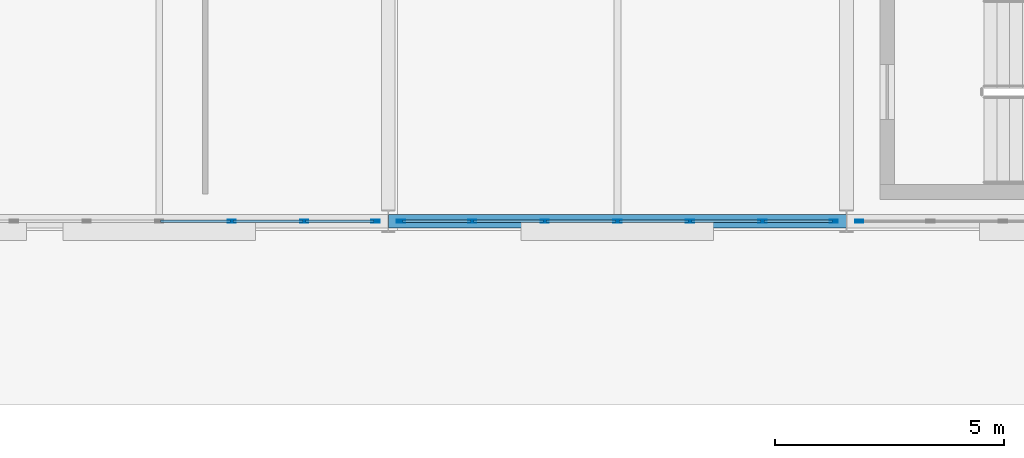
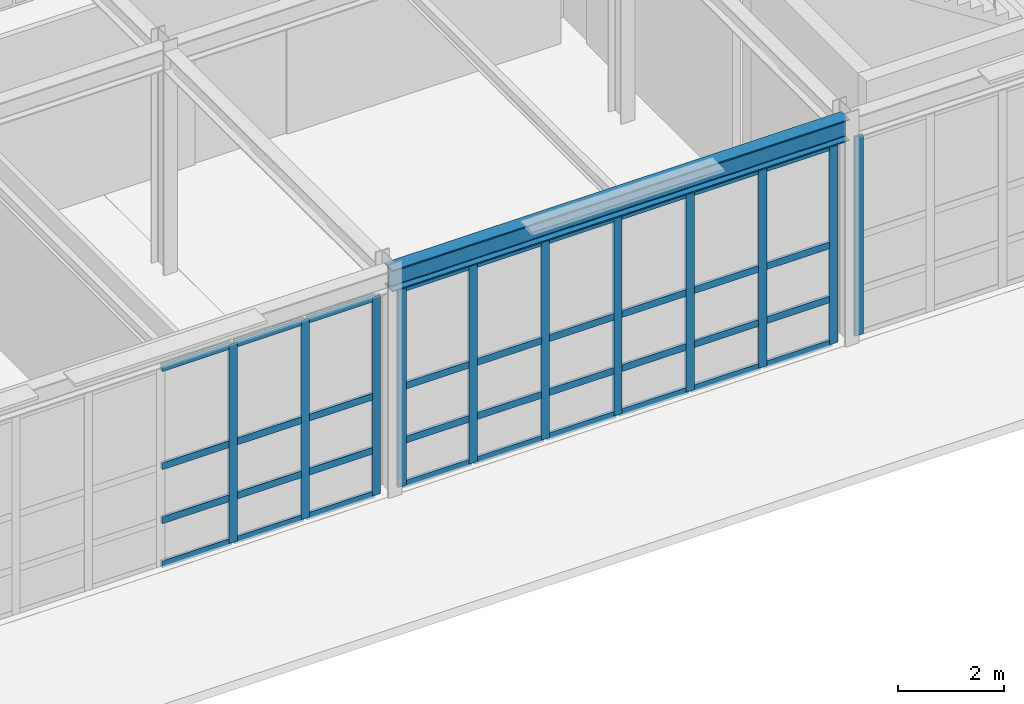
# One storey, part 101 of 210: 47 members, 1 beam, 3 elements without a shape of their own.
"""IFC4 building model written with IfcOpenShell, lengths in metres."""

from ifc_helpers import new_model, si_unit, direction, frame, origin, origin_2d, place, context, subcontext, project, spatial, hollow_rectangle, i_section, extrude, material, material_profile, profile_set, type_object, element, aggregate, save


model = new_model("IFC4")

# Units and contexts
model_context = context("Model", 3, precision=1e-05, world=origin(), true_north=direction((0.0, 1.0)))
body_context = subcontext(model_context, "Body", "Model", "MODEL_VIEW")
ifc_project = project(units=[si_unit("LENGTHUNIT", "METRE"), si_unit("AREAUNIT", "SQUARE_METRE"), si_unit("VOLUMEUNIT", "CUBIC_METRE"), si_unit("PLANEANGLEUNIT", "RADIAN"), si_unit("MASSUNIT", "GRAM", prefix="KILO")], contexts=[model_context])

# Site, building, storey
site_placement = place(None, origin())
site = spatial("IfcSite", under=ifc_project, at=site_placement, CompositionType="ELEMENT")
building_placement = place(site_placement, origin())
building = spatial("IfcBuilding", under=site, at=building_placement, Name="Kaldris Quays Convention Centre", CompositionType="ELEMENT")
storey_placement = place(building_placement, frame((0.0, 0.0, 6.0)))
storey = spatial("IfcBuildingStorey", under=building, at=storey_placement, Name="L01", CompositionType="ELEMENT", Elevation=6.0)

# Curtain wall, members
ifc_material_1 = material(Name="Anodized aluminium AW-6060 and triple glazing", Category="aluminium")
curtain_wall_type = type_object("IfcCurtainWallType", Name="UNITISED CURTAIN WALL CW02", PredefinedType="NOTDEFINED", material=ifc_material_1)
curtain_wall_1_placement = place(storey_placement, origin())
curtain_wall_1 = element("IfcCurtainWall", 1, at=curtain_wall_1_placement, inside=storey, type_object=curtain_wall_type, Name="L01 Unitised Curtain Wall CW02 189", PredefinedType="NOTDEFINED")
ifc_material_2 = material(Name="Anodized aluminium AW-6060", Category="aluminium")
ifc_material_profile_1 = material_profile(ifc_material_2, hollow_rectangle(XDim=0.06005859375, YDim=0.179931640625, WallThickness=0.0048828125, at=origin_2d()), Name="RHS 180x60x5")
ifc_profile_set_1 = profile_set([ifc_material_profile_1], Name="Anodized aluminium AW-6060")
member_type_1 = type_object("IfcMemberType", Name="CURTAIN MULLION CWM2", PredefinedType="MULLION", material=ifc_profile_set_1)
member_1_placement = place(storey_placement, frame((180.583251953125, 20.0, 0.0), z_axis=(0.0, 0.0, 1.0), x_axis=(0.0, 1.0, 0.0)))
member_1 = element("IfcMember", 2, at=member_1_placement, type_object=member_type_1, Name="CW02 mullion 5", PredefinedType="MULLION", context=body_context, shape_type="SweptSolid", body=[
    extrude(hollow_rectangle(XDim=0.06005859375, YDim=0.179931640625, WallThickness=0.0048828125, at=origin_2d()), origin(), (0.0, 0.0, 1.0), 4.60009765625),
])
member_2_placement = place(storey_placement, frame((182.166748046875, 20.0, 0.0), z_axis=(0.0, 0.0, 1.0), x_axis=(0.0, 1.0, 0.0)))
member_2 = element("IfcMember", 3, at=member_2_placement, type_object=member_type_1, Name="CW02 mullion 6", PredefinedType="MULLION", context=body_context, shape_type="SweptSolid", body=[
    extrude(hollow_rectangle(XDim=0.06005859375, YDim=0.179931640625, WallThickness=0.0048828125, at=origin_2d()), origin(), (0.0, 0.0, 1.0), 4.60009765625),
])
member_3_placement = place(storey_placement, frame((183.719970703125, 20.0, 0.0), z_axis=(0.0, 0.0, 1.0), x_axis=(0.0, 1.0, 0.0)))
member_3 = element("IfcMember", 4, at=member_3_placement, type_object=member_type_1, Name="CW02 mullion 7", PredefinedType="MULLION", context=body_context, shape_type="SweptSolid", body=[
    extrude(hollow_rectangle(XDim=0.06005859375, YDim=0.179931640625, WallThickness=0.0048828125, at=origin_2d()), origin(), (0.0, 0.0, 1.0), 4.60009765625),
])

curtain_wall_2_placement = place(storey_placement, origin())
curtain_wall_2 = element("IfcCurtainWall", 5, at=curtain_wall_2_placement, inside=storey, type_object=curtain_wall_type, Name="L01 Unitised Curtain Wall CW02 191", PredefinedType="NOTDEFINED")
member_4_placement = place(storey_placement, frame((184.280029296875, 20.0, 0.0), z_axis=(0.0, 0.0, 1.0), x_axis=(0.0, 1.0, 0.0)))
member_4 = element("IfcMember", 6, at=member_4_placement, type_object=member_type_1, Name="CW02 mullion 1", PredefinedType="MULLION", context=body_context, shape_type="SweptSolid", body=[
    extrude(hollow_rectangle(XDim=0.06005859375, YDim=0.179931640625, WallThickness=0.0048828125, at=origin_2d()), origin(), (0.0, 0.0, 1.0), 4.60009765625),
])
member_5_placement = place(storey_placement, frame((185.833251953125, 20.0, 0.0), z_axis=(0.0, 0.0, 1.0), x_axis=(0.0, 1.0, 0.0)))
member_5 = element("IfcMember", 7, at=member_5_placement, type_object=member_type_1, Name="CW02 mullion 2", PredefinedType="MULLION", context=body_context, shape_type="SweptSolid", body=[
    extrude(hollow_rectangle(XDim=0.06005859375, YDim=0.179931640625, WallThickness=0.0048828125, at=origin_2d()), origin(), (0.0, 0.0, 1.0), 4.60009765625),
])
member_6_placement = place(storey_placement, frame((187.416748046875, 20.0, 0.0), z_axis=(0.0, 0.0, 1.0), x_axis=(0.0, 1.0, 0.0)))
member_6 = element("IfcMember", 8, at=member_6_placement, type_object=member_type_1, Name="CW02 mullion 3", PredefinedType="MULLION", context=body_context, shape_type="SweptSolid", body=[
    extrude(hollow_rectangle(XDim=0.06005859375, YDim=0.179931640625, WallThickness=0.0048828125, at=origin_2d()), origin(), (0.0, 0.0, 1.0), 4.60009765625),
])
member_7_placement = place(storey_placement, frame((189.0, 20.0, 0.0), z_axis=(0.0, 0.0, 1.0), x_axis=(0.0, 1.0, 0.0)))
member_7 = element("IfcMember", 9, at=member_7_placement, type_object=member_type_1, Name="CW02 mullion 4", PredefinedType="MULLION", context=body_context, shape_type="SweptSolid", body=[
    extrude(hollow_rectangle(XDim=0.06005859375, YDim=0.179931640625, WallThickness=0.0048828125, at=origin_2d()), origin(), (0.0, 0.0, 1.0), 4.60009765625),
])
member_8_placement = place(storey_placement, frame((190.583251953125, 20.0, 0.0), z_axis=(0.0, 0.0, 1.0), x_axis=(0.0, 1.0, 0.0)))
member_8 = element("IfcMember", 10, at=member_8_placement, type_object=member_type_1, Name="CW02 mullion 5", PredefinedType="MULLION", context=body_context, shape_type="SweptSolid", body=[
    extrude(hollow_rectangle(XDim=0.06005859375, YDim=0.179931640625, WallThickness=0.0048828125, at=origin_2d()), origin(), (0.0, 0.0, 1.0), 4.60009765625),
])
member_9_placement = place(storey_placement, frame((192.166748046875, 20.0, 0.0), z_axis=(0.0, 0.0, 1.0), x_axis=(0.0, 1.0, 0.0)))
member_9 = element("IfcMember", 11, at=member_9_placement, type_object=member_type_1, Name="CW02 mullion 6", PredefinedType="MULLION", context=body_context, shape_type="SweptSolid", body=[
    extrude(hollow_rectangle(XDim=0.06005859375, YDim=0.179931640625, WallThickness=0.0048828125, at=origin_2d()), origin(), (0.0, 0.0, 1.0), 4.60009765625),
])
member_10_placement = place(storey_placement, frame((193.719970703125, 20.0, 0.0), z_axis=(0.0, 0.0, 1.0), x_axis=(0.0, 1.0, 0.0)))
member_10 = element("IfcMember", 12, at=member_10_placement, type_object=member_type_1, Name="CW02 mullion 7", PredefinedType="MULLION", context=body_context, shape_type="SweptSolid", body=[
    extrude(hollow_rectangle(XDim=0.06005859375, YDim=0.179931640625, WallThickness=0.0048828125, at=origin_2d()), origin(), (0.0, 0.0, 1.0), 4.60009765625),
])

# Curtain wall, member
curtain_wall_3_placement = place(storey_placement, origin())
curtain_wall_3 = element("IfcCurtainWall", 13, at=curtain_wall_3_placement, inside=storey, type_object=curtain_wall_type, Name="L01 Unitised Curtain Wall CW02 193", PredefinedType="NOTDEFINED")
member_11_placement = place(storey_placement, frame((194.280029296875, 20.0, 0.0), z_axis=(0.0, 0.0, 1.0), x_axis=(0.0, 1.0, 0.0)))
member_11 = element("IfcMember", 14, at=member_11_placement, type_object=member_type_1, Name="CW02 mullion 1", PredefinedType="MULLION", context=body_context, shape_type="SweptSolid", body=[
    extrude(hollow_rectangle(XDim=0.06005859375, YDim=0.179931640625, WallThickness=0.0048828125, at=origin_2d()), origin(), (0.0, 0.0, 1.0), 4.60009765625),
])
aggregate(curtain_wall_3, [member_11])

# Member
ifc_material_profile_2 = material_profile(ifc_material_2, hollow_rectangle(XDim=0.06005859375, YDim=0.159912109375, WallThickness=0.00390625, at=origin_2d()), Name="RHS 160x60x4")
ifc_profile_set_2 = profile_set([ifc_material_profile_2], Name="Anodized aluminium AW-6060")
member_type_2 = type_object("IfcMemberType", Name="CURTAIN TRANSOM CWT2", PredefinedType="USERDEFINED", material=ifc_profile_set_2)
member_12_placement = place(storey_placement, frame((179.030029296875, 20.0, 0.030029296875), z_axis=(1.0, 0.0, 0.0), x_axis=(0.0, 1.0, 0.0)))
member_12 = element("IfcMember", 15, at=member_12_placement, type_object=member_type_2, Name="CW02 transom 4.1", ObjectType="TRANSOM", PredefinedType="USERDEFINED", context=body_context, shape_type="SweptSolid", body=[
    extrude(hollow_rectangle(XDim=0.06005859375, YDim=0.159912109375, WallThickness=0.00390625, at=origin_2d()), origin(), (0.0, 0.0, 1.0), 1.523193359375),
])

member_13_placement = place(storey_placement, frame((179.030029296875, 20.0, 1.050048828125), z_axis=(1.0, 0.0, 0.0), x_axis=(0.0, 1.0, 0.0)))
member_13 = element("IfcMember", 16, at=member_13_placement, type_object=member_type_2, Name="CW02 transom 4.2", ObjectType="TRANSOM", PredefinedType="USERDEFINED", context=body_context, shape_type="SweptSolid", body=[
    extrude(hollow_rectangle(XDim=0.06005859375, YDim=0.159912109375, WallThickness=0.00390625, at=origin_2d()), origin(), (0.0, 0.0, 1.0), 1.523193359375),
])

member_14_placement = place(storey_placement, frame((179.030029296875, 20.0, 2.300048828125), z_axis=(1.0, 0.0, 0.0), x_axis=(0.0, 1.0, 0.0)))
member_14 = element("IfcMember", 17, at=member_14_placement, type_object=member_type_2, Name="CW02 transom 4.3", ObjectType="TRANSOM", PredefinedType="USERDEFINED", context=body_context, shape_type="SweptSolid", body=[
    extrude(hollow_rectangle(XDim=0.06005859375, YDim=0.159912109375, WallThickness=0.00390625, at=origin_2d()), origin(), (0.0, 0.0, 1.0), 1.523193359375),
])

member_15_placement = place(storey_placement, frame((179.030029296875, 20.0, 4.570068359375), z_axis=(1.0, 0.0, 0.0), x_axis=(0.0, 1.0, 0.0)))
member_15 = element("IfcMember", 18, at=member_15_placement, type_object=member_type_2, Name="CW02 transom 4.4", ObjectType="TRANSOM", PredefinedType="USERDEFINED", context=body_context, shape_type="SweptSolid", body=[
    extrude(hollow_rectangle(XDim=0.06005859375, YDim=0.159912109375, WallThickness=0.00390625, at=origin_2d()), origin(), (0.0, 0.0, 1.0), 1.523193359375),
])

member_16_placement = place(storey_placement, frame((180.61328125, 20.0, 0.030029296875), z_axis=(1.0, 0.0, 0.0), x_axis=(0.0, 1.0, 0.0)))
member_16 = element("IfcMember", 19, at=member_16_placement, type_object=member_type_2, Name="CW02 transom 5.1", ObjectType="TRANSOM", PredefinedType="USERDEFINED", context=body_context, shape_type="SweptSolid", body=[
    extrude(hollow_rectangle(XDim=0.06005859375, YDim=0.159912109375, WallThickness=0.00390625, at=origin_2d()), origin(), (0.0, 0.0, 1.0), 1.5234375),
])

member_17_placement = place(storey_placement, frame((180.61328125, 20.0, 1.050048828125), z_axis=(1.0, 0.0, 0.0), x_axis=(0.0, 1.0, 0.0)))
member_17 = element("IfcMember", 20, at=member_17_placement, type_object=member_type_2, Name="CW02 transom 5.2", ObjectType="TRANSOM", PredefinedType="USERDEFINED", context=body_context, shape_type="SweptSolid", body=[
    extrude(hollow_rectangle(XDim=0.06005859375, YDim=0.159912109375, WallThickness=0.00390625, at=origin_2d()), origin(), (0.0, 0.0, 1.0), 1.5234375),
])

member_18_placement = place(storey_placement, frame((180.61328125, 20.0, 2.300048828125), z_axis=(1.0, 0.0, 0.0), x_axis=(0.0, 1.0, 0.0)))
member_18 = element("IfcMember", 21, at=member_18_placement, type_object=member_type_2, Name="CW02 transom 5.3", ObjectType="TRANSOM", PredefinedType="USERDEFINED", context=body_context, shape_type="SweptSolid", body=[
    extrude(hollow_rectangle(XDim=0.06005859375, YDim=0.159912109375, WallThickness=0.00390625, at=origin_2d()), origin(), (0.0, 0.0, 1.0), 1.5234375),
])

member_19_placement = place(storey_placement, frame((180.61328125, 20.0, 4.570068359375), z_axis=(1.0, 0.0, 0.0), x_axis=(0.0, 1.0, 0.0)))
member_19 = element("IfcMember", 22, at=member_19_placement, type_object=member_type_2, Name="CW02 transom 5.4", ObjectType="TRANSOM", PredefinedType="USERDEFINED", context=body_context, shape_type="SweptSolid", body=[
    extrude(hollow_rectangle(XDim=0.06005859375, YDim=0.159912109375, WallThickness=0.00390625, at=origin_2d()), origin(), (0.0, 0.0, 1.0), 1.5234375),
])

member_20_placement = place(storey_placement, frame((182.19677734375, 20.0, 0.030029296875), z_axis=(1.0, 0.0, 0.0), x_axis=(0.0, 1.0, 0.0)))
member_20 = element("IfcMember", 23, at=member_20_placement, type_object=member_type_2, Name="CW02 transom 6.1", ObjectType="TRANSOM", PredefinedType="USERDEFINED", context=body_context, shape_type="SweptSolid", body=[
    extrude(hollow_rectangle(XDim=0.06005859375, YDim=0.159912109375, WallThickness=0.00390625, at=origin_2d()), origin(), (0.0, 0.0, 1.0), 1.4931640625),
])

member_21_placement = place(storey_placement, frame((182.19677734375, 20.0, 1.050048828125), z_axis=(1.0, 0.0, 0.0), x_axis=(0.0, 1.0, 0.0)))
member_21 = element("IfcMember", 24, at=member_21_placement, type_object=member_type_2, Name="CW02 transom 6.2", ObjectType="TRANSOM", PredefinedType="USERDEFINED", context=body_context, shape_type="SweptSolid", body=[
    extrude(hollow_rectangle(XDim=0.06005859375, YDim=0.159912109375, WallThickness=0.00390625, at=origin_2d()), origin(), (0.0, 0.0, 1.0), 1.4931640625),
])

member_22_placement = place(storey_placement, frame((182.19677734375, 20.0, 2.300048828125), z_axis=(1.0, 0.0, 0.0), x_axis=(0.0, 1.0, 0.0)))
member_22 = element("IfcMember", 25, at=member_22_placement, type_object=member_type_2, Name="CW02 transom 6.3", ObjectType="TRANSOM", PredefinedType="USERDEFINED", context=body_context, shape_type="SweptSolid", body=[
    extrude(hollow_rectangle(XDim=0.06005859375, YDim=0.159912109375, WallThickness=0.00390625, at=origin_2d()), origin(), (0.0, 0.0, 1.0), 1.4931640625),
])

member_23_placement = place(storey_placement, frame((182.19677734375, 20.0, 4.570068359375), z_axis=(1.0, 0.0, 0.0), x_axis=(0.0, 1.0, 0.0)))
member_23 = element("IfcMember", 26, at=member_23_placement, type_object=member_type_2, Name="CW02 transom 6.4", ObjectType="TRANSOM", PredefinedType="USERDEFINED", context=body_context, shape_type="SweptSolid", body=[
    extrude(hollow_rectangle(XDim=0.06005859375, YDim=0.159912109375, WallThickness=0.00390625, at=origin_2d()), origin(), (0.0, 0.0, 1.0), 1.4931640625),
])

aggregate(curtain_wall_1, [member_1, member_2, member_3, member_12, member_13, member_14, member_15, member_16, member_17, member_18, member_19, member_20, member_21, member_22, member_23])

member_24_placement = place(storey_placement, frame((184.31005859375, 20.0, 0.030029296875), z_axis=(1.0, 0.0, 0.0), x_axis=(0.0, 1.0, 0.0)))
member_24 = element("IfcMember", 27, at=member_24_placement, type_object=member_type_2, Name="CW02 transom 1.1", ObjectType="TRANSOM", PredefinedType="USERDEFINED", context=body_context, shape_type="SweptSolid", body=[
    extrude(hollow_rectangle(XDim=0.06005859375, YDim=0.159912109375, WallThickness=0.00390625, at=origin_2d()), origin(), (0.0, 0.0, 1.0), 1.4931640625),
])

member_25_placement = place(storey_placement, frame((184.31005859375, 20.0, 1.050048828125), z_axis=(1.0, 0.0, 0.0), x_axis=(0.0, 1.0, 0.0)))
member_25 = element("IfcMember", 28, at=member_25_placement, type_object=member_type_2, Name="CW02 transom 1.2", ObjectType="TRANSOM", PredefinedType="USERDEFINED", context=body_context, shape_type="SweptSolid", body=[
    extrude(hollow_rectangle(XDim=0.06005859375, YDim=0.159912109375, WallThickness=0.00390625, at=origin_2d()), origin(), (0.0, 0.0, 1.0), 1.4931640625),
])

member_26_placement = place(storey_placement, frame((184.31005859375, 20.0, 2.300048828125), z_axis=(1.0, 0.0, 0.0), x_axis=(0.0, 1.0, 0.0)))
member_26 = element("IfcMember", 29, at=member_26_placement, type_object=member_type_2, Name="CW02 transom 1.3", ObjectType="TRANSOM", PredefinedType="USERDEFINED", context=body_context, shape_type="SweptSolid", body=[
    extrude(hollow_rectangle(XDim=0.06005859375, YDim=0.159912109375, WallThickness=0.00390625, at=origin_2d()), origin(), (0.0, 0.0, 1.0), 1.4931640625),
])

member_27_placement = place(storey_placement, frame((184.31005859375, 20.0, 4.570068359375), z_axis=(1.0, 0.0, 0.0), x_axis=(0.0, 1.0, 0.0)))
member_27 = element("IfcMember", 30, at=member_27_placement, type_object=member_type_2, Name="CW02 transom 1.4", ObjectType="TRANSOM", PredefinedType="USERDEFINED", context=body_context, shape_type="SweptSolid", body=[
    extrude(hollow_rectangle(XDim=0.06005859375, YDim=0.159912109375, WallThickness=0.00390625, at=origin_2d()), origin(), (0.0, 0.0, 1.0), 1.4931640625),
])

member_28_placement = place(storey_placement, frame((185.86328125, 20.0, 0.030029296875), z_axis=(1.0, 0.0, 0.0), x_axis=(0.0, 1.0, 0.0)))
member_28 = element("IfcMember", 31, at=member_28_placement, type_object=member_type_2, Name="CW02 transom 2.1", ObjectType="TRANSOM", PredefinedType="USERDEFINED", context=body_context, shape_type="SweptSolid", body=[
    extrude(hollow_rectangle(XDim=0.06005859375, YDim=0.159912109375, WallThickness=0.00390625, at=origin_2d()), origin(), (0.0, 0.0, 1.0), 1.5234375),
])

member_29_placement = place(storey_placement, frame((185.86328125, 20.0, 1.050048828125), z_axis=(1.0, 0.0, 0.0), x_axis=(0.0, 1.0, 0.0)))
member_29 = element("IfcMember", 32, at=member_29_placement, type_object=member_type_2, Name="CW02 transom 2.2", ObjectType="TRANSOM", PredefinedType="USERDEFINED", context=body_context, shape_type="SweptSolid", body=[
    extrude(hollow_rectangle(XDim=0.06005859375, YDim=0.159912109375, WallThickness=0.00390625, at=origin_2d()), origin(), (0.0, 0.0, 1.0), 1.5234375),
])

member_30_placement = place(storey_placement, frame((185.86328125, 20.0, 2.300048828125), z_axis=(1.0, 0.0, 0.0), x_axis=(0.0, 1.0, 0.0)))
member_30 = element("IfcMember", 33, at=member_30_placement, type_object=member_type_2, Name="CW02 transom 2.3", ObjectType="TRANSOM", PredefinedType="USERDEFINED", context=body_context, shape_type="SweptSolid", body=[
    extrude(hollow_rectangle(XDim=0.06005859375, YDim=0.159912109375, WallThickness=0.00390625, at=origin_2d()), origin(), (0.0, 0.0, 1.0), 1.5234375),
])

member_31_placement = place(storey_placement, frame((185.86328125, 20.0, 4.570068359375), z_axis=(1.0, 0.0, 0.0), x_axis=(0.0, 1.0, 0.0)))
member_31 = element("IfcMember", 34, at=member_31_placement, type_object=member_type_2, Name="CW02 transom 2.4", ObjectType="TRANSOM", PredefinedType="USERDEFINED", context=body_context, shape_type="SweptSolid", body=[
    extrude(hollow_rectangle(XDim=0.06005859375, YDim=0.159912109375, WallThickness=0.00390625, at=origin_2d()), origin(), (0.0, 0.0, 1.0), 1.5234375),
])

member_32_placement = place(storey_placement, frame((187.44677734375, 20.0, 0.030029296875), z_axis=(1.0, 0.0, 0.0), x_axis=(0.0, 1.0, 0.0)))
member_32 = element("IfcMember", 35, at=member_32_placement, type_object=member_type_2, Name="CW02 transom 3.1", ObjectType="TRANSOM", PredefinedType="USERDEFINED", context=body_context, shape_type="SweptSolid", body=[
    extrude(hollow_rectangle(XDim=0.06005859375, YDim=0.159912109375, WallThickness=0.00390625, at=origin_2d()), origin(), (0.0, 0.0, 1.0), 1.523193359375),
])

member_33_placement = place(storey_placement, frame((187.44677734375, 20.0, 1.050048828125), z_axis=(1.0, 0.0, 0.0), x_axis=(0.0, 1.0, 0.0)))
member_33 = element("IfcMember", 36, at=member_33_placement, type_object=member_type_2, Name="CW02 transom 3.2", ObjectType="TRANSOM", PredefinedType="USERDEFINED", context=body_context, shape_type="SweptSolid", body=[
    extrude(hollow_rectangle(XDim=0.06005859375, YDim=0.159912109375, WallThickness=0.00390625, at=origin_2d()), origin(), (0.0, 0.0, 1.0), 1.523193359375),
])

member_34_placement = place(storey_placement, frame((187.44677734375, 20.0, 2.300048828125), z_axis=(1.0, 0.0, 0.0), x_axis=(0.0, 1.0, 0.0)))
member_34 = element("IfcMember", 37, at=member_34_placement, type_object=member_type_2, Name="CW02 transom 3.3", ObjectType="TRANSOM", PredefinedType="USERDEFINED", context=body_context, shape_type="SweptSolid", body=[
    extrude(hollow_rectangle(XDim=0.06005859375, YDim=0.159912109375, WallThickness=0.00390625, at=origin_2d()), origin(), (0.0, 0.0, 1.0), 1.523193359375),
])

member_35_placement = place(storey_placement, frame((187.44677734375, 20.0, 4.570068359375), z_axis=(1.0, 0.0, 0.0), x_axis=(0.0, 1.0, 0.0)))
member_35 = element("IfcMember", 38, at=member_35_placement, type_object=member_type_2, Name="CW02 transom 3.4", ObjectType="TRANSOM", PredefinedType="USERDEFINED", context=body_context, shape_type="SweptSolid", body=[
    extrude(hollow_rectangle(XDim=0.06005859375, YDim=0.159912109375, WallThickness=0.00390625, at=origin_2d()), origin(), (0.0, 0.0, 1.0), 1.523193359375),
])

member_36_placement = place(storey_placement, frame((189.030029296875, 20.0, 0.030029296875), z_axis=(1.0, 0.0, 0.0), x_axis=(0.0, 1.0, 0.0)))
member_36 = element("IfcMember", 39, at=member_36_placement, type_object=member_type_2, Name="CW02 transom 4.1", ObjectType="TRANSOM", PredefinedType="USERDEFINED", context=body_context, shape_type="SweptSolid", body=[
    extrude(hollow_rectangle(XDim=0.06005859375, YDim=0.159912109375, WallThickness=0.00390625, at=origin_2d()), origin(), (0.0, 0.0, 1.0), 1.523193359375),
])

member_37_placement = place(storey_placement, frame((189.030029296875, 20.0, 1.050048828125), z_axis=(1.0, 0.0, 0.0), x_axis=(0.0, 1.0, 0.0)))
member_37 = element("IfcMember", 40, at=member_37_placement, type_object=member_type_2, Name="CW02 transom 4.2", ObjectType="TRANSOM", PredefinedType="USERDEFINED", context=body_context, shape_type="SweptSolid", body=[
    extrude(hollow_rectangle(XDim=0.06005859375, YDim=0.159912109375, WallThickness=0.00390625, at=origin_2d()), origin(), (0.0, 0.0, 1.0), 1.523193359375),
])

member_38_placement = place(storey_placement, frame((189.030029296875, 20.0, 2.300048828125), z_axis=(1.0, 0.0, 0.0), x_axis=(0.0, 1.0, 0.0)))
member_38 = element("IfcMember", 41, at=member_38_placement, type_object=member_type_2, Name="CW02 transom 4.3", ObjectType="TRANSOM", PredefinedType="USERDEFINED", context=body_context, shape_type="SweptSolid", body=[
    extrude(hollow_rectangle(XDim=0.06005859375, YDim=0.159912109375, WallThickness=0.00390625, at=origin_2d()), origin(), (0.0, 0.0, 1.0), 1.523193359375),
])

member_39_placement = place(storey_placement, frame((189.030029296875, 20.0, 4.570068359375), z_axis=(1.0, 0.0, 0.0), x_axis=(0.0, 1.0, 0.0)))
member_39 = element("IfcMember", 42, at=member_39_placement, type_object=member_type_2, Name="CW02 transom 4.4", ObjectType="TRANSOM", PredefinedType="USERDEFINED", context=body_context, shape_type="SweptSolid", body=[
    extrude(hollow_rectangle(XDim=0.06005859375, YDim=0.159912109375, WallThickness=0.00390625, at=origin_2d()), origin(), (0.0, 0.0, 1.0), 1.523193359375),
])

member_40_placement = place(storey_placement, frame((190.61328125, 20.0, 0.030029296875), z_axis=(1.0, 0.0, 0.0), x_axis=(0.0, 1.0, 0.0)))
member_40 = element("IfcMember", 43, at=member_40_placement, type_object=member_type_2, Name="CW02 transom 5.1", ObjectType="TRANSOM", PredefinedType="USERDEFINED", context=body_context, shape_type="SweptSolid", body=[
    extrude(hollow_rectangle(XDim=0.06005859375, YDim=0.159912109375, WallThickness=0.00390625, at=origin_2d()), origin(), (0.0, 0.0, 1.0), 1.5234375),
])

member_41_placement = place(storey_placement, frame((190.61328125, 20.0, 1.050048828125), z_axis=(1.0, 0.0, 0.0), x_axis=(0.0, 1.0, 0.0)))
member_41 = element("IfcMember", 44, at=member_41_placement, type_object=member_type_2, Name="CW02 transom 5.2", ObjectType="TRANSOM", PredefinedType="USERDEFINED", context=body_context, shape_type="SweptSolid", body=[
    extrude(hollow_rectangle(XDim=0.06005859375, YDim=0.159912109375, WallThickness=0.00390625, at=origin_2d()), origin(), (0.0, 0.0, 1.0), 1.5234375),
])

member_42_placement = place(storey_placement, frame((190.61328125, 20.0, 2.300048828125), z_axis=(1.0, 0.0, 0.0), x_axis=(0.0, 1.0, 0.0)))
member_42 = element("IfcMember", 45, at=member_42_placement, type_object=member_type_2, Name="CW02 transom 5.3", ObjectType="TRANSOM", PredefinedType="USERDEFINED", context=body_context, shape_type="SweptSolid", body=[
    extrude(hollow_rectangle(XDim=0.06005859375, YDim=0.159912109375, WallThickness=0.00390625, at=origin_2d()), origin(), (0.0, 0.0, 1.0), 1.5234375),
])

member_43_placement = place(storey_placement, frame((190.61328125, 20.0, 4.570068359375), z_axis=(1.0, 0.0, 0.0), x_axis=(0.0, 1.0, 0.0)))
member_43 = element("IfcMember", 46, at=member_43_placement, type_object=member_type_2, Name="CW02 transom 5.4", ObjectType="TRANSOM", PredefinedType="USERDEFINED", context=body_context, shape_type="SweptSolid", body=[
    extrude(hollow_rectangle(XDim=0.06005859375, YDim=0.159912109375, WallThickness=0.00390625, at=origin_2d()), origin(), (0.0, 0.0, 1.0), 1.5234375),
])

member_44_placement = place(storey_placement, frame((192.19677734375, 20.0, 0.030029296875), z_axis=(1.0, 0.0, 0.0), x_axis=(0.0, 1.0, 0.0)))
member_44 = element("IfcMember", 47, at=member_44_placement, type_object=member_type_2, Name="CW02 transom 6.1", ObjectType="TRANSOM", PredefinedType="USERDEFINED", context=body_context, shape_type="SweptSolid", body=[
    extrude(hollow_rectangle(XDim=0.06005859375, YDim=0.159912109375, WallThickness=0.00390625, at=origin_2d()), origin(), (0.0, 0.0, 1.0), 1.4931640625),
])

member_45_placement = place(storey_placement, frame((192.19677734375, 20.0, 1.050048828125), z_axis=(1.0, 0.0, 0.0), x_axis=(0.0, 1.0, 0.0)))
member_45 = element("IfcMember", 48, at=member_45_placement, type_object=member_type_2, Name="CW02 transom 6.2", ObjectType="TRANSOM", PredefinedType="USERDEFINED", context=body_context, shape_type="SweptSolid", body=[
    extrude(hollow_rectangle(XDim=0.06005859375, YDim=0.159912109375, WallThickness=0.00390625, at=origin_2d()), origin(), (0.0, 0.0, 1.0), 1.4931640625),
])

member_46_placement = place(storey_placement, frame((192.19677734375, 20.0, 2.300048828125), z_axis=(1.0, 0.0, 0.0), x_axis=(0.0, 1.0, 0.0)))
member_46 = element("IfcMember", 49, at=member_46_placement, type_object=member_type_2, Name="CW02 transom 6.3", ObjectType="TRANSOM", PredefinedType="USERDEFINED", context=body_context, shape_type="SweptSolid", body=[
    extrude(hollow_rectangle(XDim=0.06005859375, YDim=0.159912109375, WallThickness=0.00390625, at=origin_2d()), origin(), (0.0, 0.0, 1.0), 1.4931640625),
])

member_47_placement = place(storey_placement, frame((192.19677734375, 20.0, 4.570068359375), z_axis=(1.0, 0.0, 0.0), x_axis=(0.0, 1.0, 0.0)))
member_47 = element("IfcMember", 50, at=member_47_placement, type_object=member_type_2, Name="CW02 transom 6.4", ObjectType="TRANSOM", PredefinedType="USERDEFINED", context=body_context, shape_type="SweptSolid", body=[
    extrude(hollow_rectangle(XDim=0.06005859375, YDim=0.159912109375, WallThickness=0.00390625, at=origin_2d()), origin(), (0.0, 0.0, 1.0), 1.4931640625),
])

aggregate(curtain_wall_2, [member_4, member_5, member_6, member_7, member_8, member_9, member_10, member_24, member_25, member_26, member_27, member_28, member_29, member_30, member_31, member_32, member_33, member_34, member_35, member_36, member_37, member_38, member_39, member_40, member_41, member_42, member_43, member_44, member_45, member_46, member_47])

# Beam
ifc_material_3 = material(Name="Steel S355J2", Category="steel")
ifc_material_profile_3 = material_profile(ifc_material_3, i_section(OverallWidth=0.300048828125, OverallDepth=0.5, WebThickness=0.014404296875, FlangeThickness=0.028076171875, FilletRadius=0.027099609375, at=origin_2d()), Name="HEB 500")
ifc_profile_set_3 = profile_set([ifc_material_profile_3], Name="Steel S355J2")
beam_type = type_object("IfcBeamType", Name="STRUCTURAL BEAM BM06", PredefinedType="BEAM", material=ifc_profile_set_3)
beam_placement = place(storey_placement, frame((184.001220703125, 20.0, 4.9130859375), z_axis=(1.0, 0.0, 0.0), x_axis=(0.0, 1.0, 0.0)))
element("IfcBeam", 51, at=beam_placement, inside=storey, type_object=beam_type, Name="L01 Girder BM06 4", PredefinedType="BEAM", context=body_context, shape_type="SweptSolid", body=[
    extrude(i_section(OverallWidth=0.300048828125, OverallDepth=0.5, WebThickness=0.014404296875, FlangeThickness=0.028076171875, FilletRadius=0.027099609375, at=origin_2d()), origin(), (0.0, 0.0, 1.0), 9.99755859375),
])

save(model, "model.ifc")
